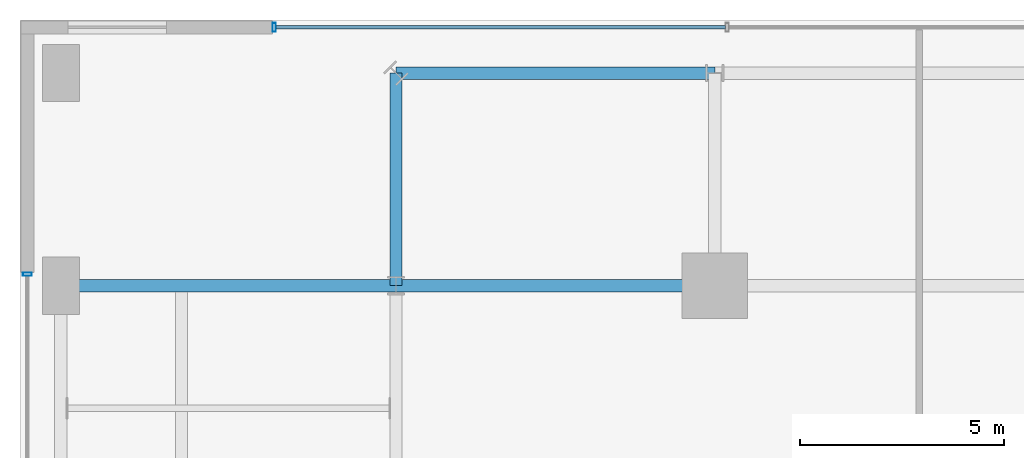
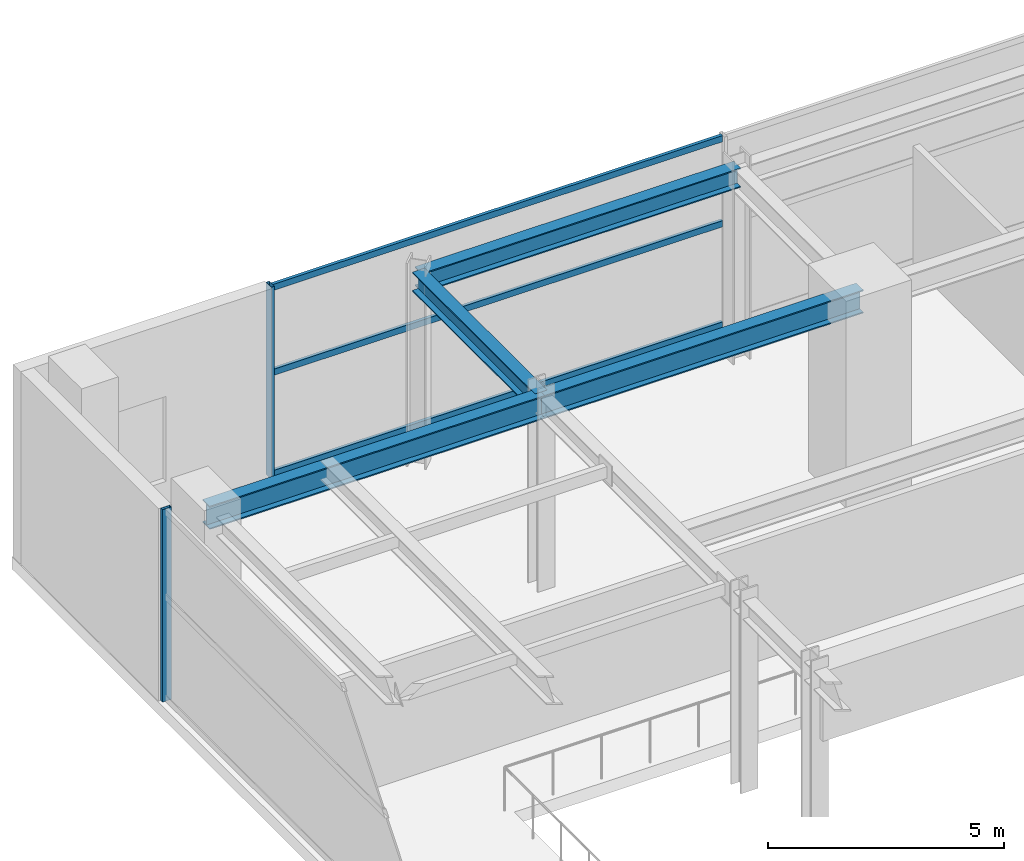
# One storey, part 16 of 35: 5 members, 4 beams, 2 elements without a shape of their own.
"""IFC4 building model written with IfcOpenShell, lengths in metres."""

from ifc_helpers import new_model, si_unit, direction, frame, origin, origin_2d, place, context, subcontext, project, spatial, hollow_rectangle, i_section, extrude, source, transform, mapped, material, material_profile, profile_set, type_object, element, aggregate, save


model = new_model("IFC4")

# Units and contexts
model_context = context("Model", 3, precision=1e-05, world=origin(), true_north=direction((0.0, 1.0)))
body_context = subcontext(model_context, "Body", "Model", "MODEL_VIEW")
ifc_project = project(units=[si_unit("LENGTHUNIT", "METRE"), si_unit("AREAUNIT", "SQUARE_METRE"), si_unit("VOLUMEUNIT", "CUBIC_METRE"), si_unit("PLANEANGLEUNIT", "RADIAN"), si_unit("MASSUNIT", "GRAM", prefix="KILO")], contexts=[model_context])

# Site, building, storey
site_placement = place(None, origin())
site = spatial("IfcSite", under=ifc_project, at=site_placement, CompositionType="ELEMENT")
building_placement = place(site_placement, origin())
building = spatial("IfcBuilding", under=site, at=building_placement, Name="Nahalor Promenade Grand Hotel", CompositionType="ELEMENT")
storey_placement = place(building_placement, frame((0.0, 0.0, 21.60009765625)))
storey = spatial("IfcBuildingStorey", under=building, at=storey_placement, Name="L04", CompositionType="ELEMENT", Elevation=21.60009765625)

# Beams
ifc_material_1 = material(Name="Steel S355JR", Category="steel")
ifc_material_profile_1 = material_profile(ifc_material_1, i_section(OverallWidth=0.3, OverallDepth=0.6, WebThickness=0.0155, FlangeThickness=0.03, at=origin_2d()), Name="HEB 600")
ifc_profile_set_1 = profile_set([ifc_material_profile_1], Name="Steel S355JR")
beam_type_1 = type_object("IfcBeamType", Name="Beam-Girder-HEB600", PredefinedType="BEAM", material=ifc_profile_set_1)
shared_shape_1 = source(origin(), body_context, "Body", "SweptSolid", [
    extrude(i_section(OverallWidth=0.3, OverallDepth=0.6, WebThickness=0.0155, FlangeThickness=0.03, at=origin_2d()), origin(), (0.0, 0.0, 1.0), 8.199951171875),
])
beam_1_placement = place(storey_placement, frame((-33.0, 17.0, 4.679931640625), z_axis=(1.0, 0.0, 0.0), x_axis=(0.0, 1.0, 0.0)))
element("IfcBeam", 1, at=beam_1_placement, inside=storey, type_object=beam_type_1, Name="BM-L04-GX-3-0", PredefinedType="BEAM", context=body_context, shape_type="MappedRepresentation", body=[
    mapped(shared_shape_1, transform((0.0, 0.0, 0.0), scale=1.0)),
])
shared_shape_2 = source(origin(), body_context, "Body", "SweptSolid", [
    extrude(i_section(OverallWidth=0.3, OverallDepth=0.6, WebThickness=0.0155, FlangeThickness=0.03, at=origin_2d()), origin(), (0.0, 0.0, 1.0), 7.800048828125),
])
beam_2_placement = place(storey_placement, frame((-24.800048828125, 17.0, 4.679931640625), z_axis=(1.0, 0.0, 0.0), x_axis=(0.0, 1.0, 0.0)))
element("IfcBeam", 2, at=beam_2_placement, inside=storey, type_object=beam_type_1, Name="BM-L04-GX-3-1", PredefinedType="BEAM", context=body_context, shape_type="MappedRepresentation", body=[
    mapped(shared_shape_2, transform((0.0, 0.0, 0.0), scale=1.0)),
])
ifc_material_profile_2 = material_profile(ifc_material_1, i_section(OverallWidth=0.3, OverallDepth=0.5, WebThickness=0.0145, FlangeThickness=0.028, at=origin_2d()), Name="HEB 500")
ifc_profile_set_2 = profile_set([ifc_material_profile_2], Name="Steel S355JR")
beam_type_2 = type_object("IfcBeamType", Name="Beam-Spandrel-HEB500", PredefinedType="SPANDREL", material=ifc_profile_set_2)
shared_shape_3 = source(origin(), body_context, "Body", "SweptSolid", [
    extrude(i_section(OverallWidth=0.3, OverallDepth=0.5, WebThickness=0.0145, FlangeThickness=0.028, at=origin_2d()), origin(), (0.0, 0.0, 1.0), 7.800048828125),
])
beam_3_placement = place(storey_placement, frame((-17.0, 22.199951171875, 4.72998046875), z_axis=(-1.0, 0.0, 0.0), x_axis=(0.0, -1.0, 0.0)))
element("IfcBeam", 3, at=beam_3_placement, inside=storey, type_object=beam_type_2, Name="BM-L04-SPC-NW-1", PredefinedType="SPANDREL", context=body_context, shape_type="MappedRepresentation", body=[
    mapped(shared_shape_3, transform((0.0, 0.0, 0.0), scale=1.0)),
])
shared_shape_4 = source(origin(), body_context, "Body", "SweptSolid", [
    extrude(i_section(OverallWidth=0.3, OverallDepth=0.5, WebThickness=0.0145, FlangeThickness=0.028, at=origin_2d()), origin(), (0.0, 0.0, 1.0), 5.199951171875),
])
beam_4_placement = place(storey_placement, frame((-24.800048828125, 22.199951171875, 4.72998046875), z_axis=(0.0, -1.0, 0.0), x_axis=(1.0, 0.0, 0.0)))
element("IfcBeam", 4, at=beam_4_placement, inside=storey, type_object=beam_type_2, Name="BM-L04-SPC-NW-2", PredefinedType="SPANDREL", context=body_context, shape_type="MappedRepresentation", body=[
    mapped(shared_shape_4, transform((0.0, 0.0, 0.0), scale=1.0)),
])

# Curtain wall, member
ifc_material_2 = material(Name="Anodised Bronze Aluminium EN AW-6063 T6", Category="aluminium")
curtain_wall_type = type_object("IfcCurtainWallType", Name="CW1 Waterfront Podium Bronze Arcade Curtain Wall", PredefinedType="USERDEFINED", material=ifc_material_2)
curtain_wall_1_placement = place(storey_placement, origin())
curtain_wall_1 = element("IfcCurtainWall", 5, at=curtain_wall_1_placement, inside=storey, type_object=curtain_wall_type, Name="L04 Curtain Wall CW-L04-N", ObjectType="UNITISED_CURTAIN_WALL", PredefinedType="USERDEFINED")
ifc_material_profile_3 = material_profile(ifc_material_2, hollow_rectangle(XDim=0.08, YDim=0.22, WallThickness=0.005, at=origin_2d()), Name="CWM 80x220x5")
ifc_profile_set_3 = profile_set([ifc_material_profile_3], Name="Anodised Bronze Aluminium EN AW-6063 T6")
member_type_1 = type_object("IfcMemberType", Name="CWM1 Podium Bronze Mullion 80x220", PredefinedType="MULLION", material=ifc_profile_set_3)
shared_shape_5 = source(origin(), body_context, "Body", "SweptSolid", [
    extrude(hollow_rectangle(XDim=0.08, YDim=0.22, WallThickness=0.005, at=origin_2d()), origin(), (0.0, 0.0, 1.0), 4.97998046875),
])
member_1_placement = place(storey_placement, frame((-27.780029296875, 23.320068359375, 0.0), z_axis=(0.0, 0.0, 1.0), x_axis=(1.0, 0.0, 0.0)))
member_1 = element("IfcMember", 6, at=member_1_placement, type_object=member_type_1, Name="CW-L04-N Mullion 0", PredefinedType="MULLION", context=body_context, shape_type="MappedRepresentation", body=[
    mapped(shared_shape_5, transform((0.0, 0.0, 0.0), scale=1.0)),
])

curtain_wall_2_placement = place(storey_placement, origin())
curtain_wall_2 = element("IfcCurtainWall", 7, at=curtain_wall_2_placement, inside=storey, type_object=curtain_wall_type, Name="L04 Curtain Wall CW-L04-W", ObjectType="UNITISED_CURTAIN_WALL", PredefinedType="USERDEFINED")
member_2_placement = place(storey_placement, frame((-33.820068359375, 17.280029296875, 0.0), z_axis=(0.0, 0.0, 1.0), x_axis=(0.0, 1.0, 0.0)))
member_2 = element("IfcMember", 8, at=member_2_placement, type_object=member_type_1, Name="CW-L04-W Mullion 3", PredefinedType="MULLION", context=body_context, shape_type="MappedRepresentation", body=[
    mapped(shared_shape_5, transform((0.0, 0.0, 0.0), scale=1.0)),
])
aggregate(curtain_wall_2, [member_2])

# Member
ifc_material_profile_4 = material_profile(ifc_material_2, hollow_rectangle(XDim=0.08, YDim=0.16, WallThickness=0.004, at=origin_2d()), Name="CWT 80x160x4")
ifc_profile_set_4 = profile_set([ifc_material_profile_4], Name="Anodised Bronze Aluminium EN AW-6063 T6")
member_type_2 = type_object("IfcMemberType", Name="CWT1 Podium Bronze Transom 80x160", PredefinedType="USERDEFINED", material=ifc_profile_set_4)
shared_shape_6 = source(origin(), body_context, "Body", "SweptSolid", [
    extrude(hollow_rectangle(XDim=0.08, YDim=0.16, WallThickness=0.004, at=origin_2d()), origin(), (0.0, 0.0, 1.0), 11.008056640625),
])
member_3_placement = place(storey_placement, frame((-27.739990234375, 23.320068359375, 0.079833984375), z_axis=(1.0, 0.0, 0.0), x_axis=(0.0, 1.0, 0.0)))
member_3 = element("IfcMember", 9, at=member_3_placement, type_object=member_type_2, Name="CW-L04-N Transom 0-0", ObjectType="TRANSOM", PredefinedType="USERDEFINED", context=body_context, shape_type="MappedRepresentation", body=[
    mapped(shared_shape_6, transform((0.0, 0.0, 0.0), scale=1.0)),
])

member_4_placement = place(storey_placement, frame((-27.739990234375, 23.320068359375, 2.699951171875), z_axis=(1.0, 0.0, 0.0), x_axis=(0.0, 1.0, 0.0)))
member_4 = element("IfcMember", 10, at=member_4_placement, type_object=member_type_2, Name="CW-L04-N Transom 0-1", ObjectType="TRANSOM", PredefinedType="USERDEFINED", context=body_context, shape_type="MappedRepresentation", body=[
    mapped(shared_shape_6, transform((0.0, 0.0, 0.0), scale=1.0)),
])

member_5_placement = place(storey_placement, frame((-27.739990234375, 23.320068359375, 4.89990234375), z_axis=(1.0, 0.0, 0.0), x_axis=(0.0, 1.0, 0.0)))
member_5 = element("IfcMember", 11, at=member_5_placement, type_object=member_type_2, Name="CW-L04-N Transom 0-2", ObjectType="TRANSOM", PredefinedType="USERDEFINED", context=body_context, shape_type="MappedRepresentation", body=[
    mapped(shared_shape_6, transform((0.0, 0.0, 0.0), scale=1.0)),
])

aggregate(curtain_wall_1, [member_1, member_3, member_4, member_5])

save(model, "model.ifc")
